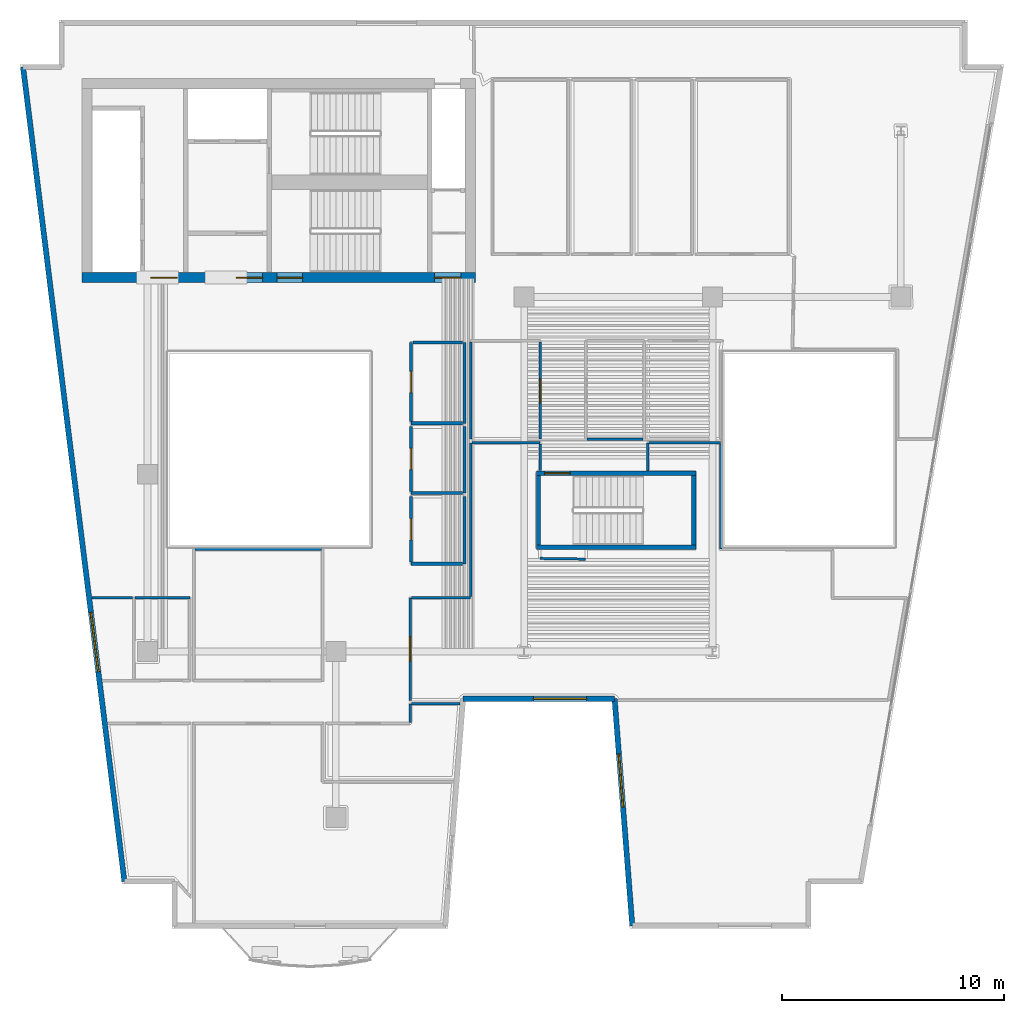
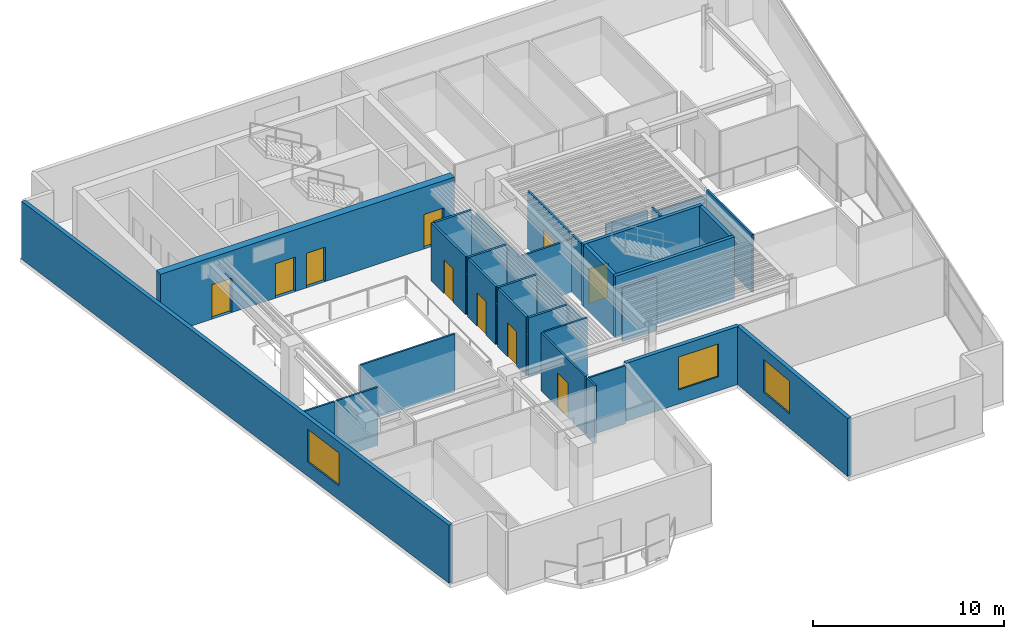
# One storey, part 4 of 10: 35 walls, 10 doors, 3 windows, 13 openings.
"""IFC4 building model written with IfcOpenShell, lengths in metres."""

from ifc_helpers import new_model, si_unit, direction, frame, frame_2d, origin, place, context, subcontext, project, spatial, rectangle, extrude, material, layer, layer_set, type_object, element, fill, save


model = new_model("IFC4")

# Units and contexts
model_context = context("Model", 3, precision=1e-05, world=origin(), true_north=direction((0.0, 1.0)))
body_context = subcontext(model_context, "Body", "Model", "MODEL_VIEW")
ifc_project = project(units=[si_unit("LENGTHUNIT", "METRE"), si_unit("AREAUNIT", "SQUARE_METRE"), si_unit("VOLUMEUNIT", "CUBIC_METRE"), si_unit("PLANEANGLEUNIT", "RADIAN"), si_unit("MASSUNIT", "GRAM", prefix="KILO")], contexts=[model_context])

# Site, building, storey
site_placement = place(None, origin())
site = spatial("IfcSite", under=ifc_project, at=site_placement, CompositionType="ELEMENT")
building_placement = place(site_placement, origin())
building = spatial("IfcBuilding", under=site, at=building_placement, Name="Caeloran Harvest Quay", CompositionType="ELEMENT")
storey_placement = place(building_placement, frame((0.0, 0.0, 223.25)))
storey = spatial("IfcBuildingStorey", under=building, at=storey_placement, Name="L53", CompositionType="ELEMENT", Elevation=223.25)

# Wall, opening, window
ifc_material_1 = material(Name="Precast concrete C50/60", Category="concrete")
ifc_layer_1 = layer(ifc_material_1, 0.239990234375, Name="Precast concrete C50/60")
ifc_layer_set_1 = layer_set([ifc_layer_1], Name="Precast concrete C50/60")
wall_type_1 = type_object("IfcWallType", Name="ENV-WALL-EW-240", PredefinedType="STANDARD", material=ifc_layer_set_1)
wall_1_placement = place(storey_placement, frame((7.460205078125, 4.6201171875, 0.0), z_axis=(0.0, 0.0, 1.0), x_axis=(-0.123515576323, 0.992342633573, 0.0)))
wall_1 = element("IfcWall", 1, at=wall_1_placement, inside=storey, type_object=wall_type_1, Name="L53 Exterior Precast Concrete Facade Wall 3", PredefinedType="STANDARD", context=body_context, shape_type="SweptSolid", body=[
    extrude(rectangle(XDim=37.04345703125, YDim=0.239990234375, at=frame_2d((18.521728515625, 0.0))), origin(), (0.0, 0.0, 1.0), 3.699951171875),
])
opening_1_placement = place(wall_1_placement, frame((9.535888671875, 0.0, 0.89990234375)))
opening_1 = element("IfcOpeningElement", 2, at=opening_1_placement, cuts=wall_1, Name="Opening W-07", PredefinedType="OPENING", context=body_context, shape_type="SweptSolid", body=[
    extrude(rectangle(XDim=2.699951171875, YDim=2.10009765625, at=frame_2d((1.35009765625, 1.050048828125))), frame((0.0, 0.1298828125, 0.0), z_axis=(0.0, -1.0, 0.0), x_axis=(1.0, 0.0, 0.0)), (0.0, 0.0, 1.0), 0.260009765625),
])
ifc_material_2 = material(Name="Aluminium-Framed Low-E Laminated Glass", Category="aluminium")
window_type_1 = type_object("IfcWindowType", Name="WIN-W-07", PartitioningType="DOUBLE_PANEL_VERTICAL", PredefinedType="WINDOW", material=ifc_material_2)
window_1_placement = place(opening_1_placement, origin())
window_1 = element("IfcWindow", 3, at=window_1_placement, inside=storey, type_object=window_type_1, Name="L53 Facade Punched Window W-07", OverallHeight=2.10009765625, OverallWidth=2.699951171875, PartitioningType="DOUBLE_PANEL_VERTICAL", PredefinedType="WINDOW", context=body_context, shape_type="SweptSolid", body=[
    extrude(rectangle(XDim=2.699951171875, YDim=2.10009765625, at=frame_2d((1.35009765625, 1.050048828125))), frame((0.0, 0.030029296875, 0.0), z_axis=(0.0, -1.0, 0.0), x_axis=(1.0, 0.0, 0.0)), (0.0, 0.0, 1.0), 0.06005859375),
])
fill(opening_1, window_1)

wall_2_placement = place(storey_placement, frame((30.380615234375, 2.6201171875, 0.0), z_axis=(0.0, 0.0, 1.0), x_axis=(-0.077816860153, 0.996967670627, 0.0)))
wall_2 = element("IfcWall", 4, at=wall_2_placement, inside=storey, type_object=wall_type_1, Name="L53 Exterior Precast Concrete Facade Wall 13", PredefinedType="STANDARD", context=body_context, shape_type="SweptSolid", body=[
    extrude(rectangle(XDim=10.28125, YDim=0.239990234375, at=frame_2d((5.140625, 0.0))), origin(), (0.0, 0.0, 1.0), 3.699951171875),
])
opening_2_placement = place(wall_2_placement, frame((5.3798828125, 0.0, 0.89990234375)))
opening_2 = element("IfcOpeningElement", 5, at=opening_2_placement, cuts=wall_2, Name="Opening W-02", PredefinedType="OPENING", context=body_context, shape_type="SweptSolid", body=[
    extrude(rectangle(XDim=2.39990234375, YDim=2.10009765625, at=frame_2d((1.199951171875, 1.050048828125))), frame((0.0, 0.1298828125, 0.0), z_axis=(0.0, -1.0, 0.0), x_axis=(1.0, 0.0, 0.0)), (0.0, 0.0, 1.0), 0.260009765625),
])
window_type_2 = type_object("IfcWindowType", Name="WIN-W-02", PartitioningType="DOUBLE_PANEL_VERTICAL", PredefinedType="WINDOW", material=ifc_material_2)
window_2_placement = place(opening_2_placement, origin())
window_2 = element("IfcWindow", 6, at=window_2_placement, inside=storey, type_object=window_type_2, Name="L53 Facade Punched Window W-02", OverallHeight=2.10009765625, OverallWidth=2.39990234375, PartitioningType="DOUBLE_PANEL_VERTICAL", PredefinedType="WINDOW", context=body_context, shape_type="SweptSolid", body=[
    extrude(rectangle(XDim=2.39990234375, YDim=2.10009765625, at=frame_2d((1.199951171875, 1.050048828125))), frame((0.0, 0.030029296875, 0.0), z_axis=(0.0, -1.0, 0.0), x_axis=(1.0, 0.0, 0.0)), (0.0, 0.0, 1.0), 0.06005859375),
])
fill(opening_2, window_2)

wall_3_placement = place(storey_placement, frame((29.58056640625, 12.8701171875, 0.0), z_axis=(0.0, 0.0, 1.0), x_axis=(-1.0, 0.0, 0.0)))
wall_3 = element("IfcWall", 7, at=wall_3_placement, inside=storey, type_object=wall_type_1, Name="L53 Exterior Precast Concrete Facade Wall 14", PredefinedType="STANDARD", context=body_context, shape_type="SweptSolid", body=[
    extrude(rectangle(XDim=6.83447265625, YDim=0.239990234375, at=frame_2d((3.417236328125, 0.0))), origin(), (0.0, 0.0, 1.0), 3.699951171875),
])
opening_3_placement = place(wall_3_placement, frame((1.260009765625, 0.0, 0.89990234375)))
opening_3 = element("IfcOpeningElement", 8, at=opening_3_placement, cuts=wall_3, Name="Opening W-02", PredefinedType="OPENING", context=body_context, shape_type="SweptSolid", body=[
    extrude(rectangle(XDim=2.39990234375, YDim=2.10009765625, at=frame_2d((1.199951171875, 1.050048828125))), frame((0.0, 0.1298828125, 0.0), z_axis=(0.0, -1.0, 0.0), x_axis=(1.0, 0.0, 0.0)), (0.0, 0.0, 1.0), 0.260009765625),
])
window_3_placement = place(opening_3_placement, origin())
window_3 = element("IfcWindow", 9, at=window_3_placement, inside=storey, type_object=window_type_2, Name="L53 Facade Punched Window W-02", OverallHeight=2.10009765625, OverallWidth=2.39990234375, PartitioningType="DOUBLE_PANEL_VERTICAL", PredefinedType="WINDOW", context=body_context, shape_type="SweptSolid", body=[
    extrude(rectangle(XDim=2.39990234375, YDim=2.10009765625, at=frame_2d((1.199951171875, 1.050048828125))), frame((0.0, 0.030029296875, 0.0), z_axis=(0.0, -1.0, 0.0), x_axis=(1.0, 0.0, 0.0)), (0.0, 0.0, 1.0), 0.06005859375),
])
fill(opening_3, window_3)

# Walls
ifc_material_3 = material(Name="Single-Stud Acoustic Gypsum Office Partition", Category="gypsum")
ifc_layer_2 = layer(ifc_material_3, 0.112060546875, Name="Single-Stud Acoustic Gypsum Office Partition")
ifc_layer_set_2 = layer_set([ifc_layer_2], Name="Single-Stud Acoustic Gypsum Office Partition")
wall_type_2 = type_object("IfcWallType", Name="INT-WALL-PW-112", PredefinedType="PARTITIONING", material=ifc_layer_set_2)
wall_4_placement = place(storey_placement, frame((20.35009765625, 11.800048828125, 0.0), z_axis=(0.0, 0.0, 1.0), x_axis=(0.0, 1.0, 0.0)))
element("IfcWall", 10, at=wall_4_placement, inside=storey, type_object=wall_type_2, Name="Due-Diligence Meeting Hall Partition Wall", PredefinedType="PARTITIONING", context=body_context, shape_type="SweptSolid", body=[
    extrude(rectangle(XDim=0.83984375, YDim=0.112060546875, at=frame_2d((0.419921875, 0.0))), origin(), (0.0, 0.0, 1.0), 3.699951171875),
])
wall_5_placement = place(storey_placement, frame((20.410888671875, 12.639892578125, 0.0), z_axis=(0.0, 0.0, 1.0), x_axis=(1.0, 0.0, 0.0)))
element("IfcWall", 11, at=wall_5_placement, inside=storey, type_object=wall_type_2, Name="Due-Diligence Meeting Hall Partition Wall", PredefinedType="PARTITIONING", context=body_context, shape_type="SweptSolid", body=[
    extrude(rectangle(XDim=2.19189453125, YDim=0.112060546875, at=frame_2d((1.095947265625, 0.0))), origin(), (0.0, 0.0, 1.0), 3.699951171875),
])
wall_6_placement = place(storey_placement, frame((5.992919921875, 17.419921875, 0.0), z_axis=(0.0, 0.0, 1.0), x_axis=(1.0, 0.0, 0.0)))
element("IfcWall", 12, at=wall_6_placement, inside=storey, type_object=wall_type_2, Name="General Partner Corner Office Partition Wall", PredefinedType="PARTITIONING", context=body_context, shape_type="SweptSolid", body=[
    extrude(rectangle(XDim=1.826171875, YDim=0.112060546875, at=frame_2d((0.9130859375, 0.0))), origin(), (0.0, 0.0, 1.0), 3.699951171875),
])
wall_7_placement = place(storey_placement, frame((7.94091796875, 17.419921875, 0.0), z_axis=(0.0, 0.0, 1.0), x_axis=(1.0, 0.0, 0.0)))
element("IfcWall", 13, at=wall_7_placement, inside=storey, type_object=wall_type_2, Name="General Partner Corner Office Partition Wall", PredefinedType="PARTITIONING", context=body_context, shape_type="SweptSolid", body=[
    extrude(rectangle(XDim=2.47900390625, YDim=0.112060546875, at=frame_2d((1.239501953125, 0.0))), origin(), (0.0, 0.0, 1.0), 3.699951171875),
])
wall_8_placement = place(storey_placement, frame((10.64111328125, 19.6201171875, 0.0), z_axis=(0.0, 0.0, 1.0), x_axis=(1.0, 0.0, 0.0)))
element("IfcWall", 14, at=wall_8_placement, inside=storey, type_object=wall_type_2, Name="Board Conference Room Partition Wall", PredefinedType="PARTITIONING", context=body_context, shape_type="SweptSolid", body=[
    extrude(rectangle(XDim=5.7177734375, YDim=0.112060546875, at=frame_2d((2.85888671875, 0.0))), origin(), (0.0, 0.0, 1.0), 3.699951171875),
])
wall_9_placement = place(storey_placement, frame((31.080078125, 23.155029296875, 0.0), z_axis=(0.0, 0.0, 1.0), x_axis=(0.0, 1.0, 0.0)))
element("IfcWall", 15, at=wall_9_placement, inside=storey, type_object=wall_type_2, Name="Founder Fireside Salon Lounge Partition Wall", PredefinedType="PARTITIONING", context=body_context, shape_type="SweptSolid", body=[
    extrude(rectangle(XDim=1.264892578125, YDim=0.112060546875, at=frame_2d((0.63232421875, 0.0))), origin(), (0.0, 0.0, 1.0), 3.699951171875),
])
wall_10_placement = place(storey_placement, frame((31.14111328125, 24.419921875, 0.0), z_axis=(0.0, 0.0, 1.0), x_axis=(1.0, 0.0, 0.0)))
element("IfcWall", 16, at=wall_10_placement, inside=storey, type_object=wall_type_2, Name="Founder Fireside Salon Lounge Partition Wall", PredefinedType="PARTITIONING", context=body_context, shape_type="SweptSolid", body=[
    extrude(rectangle(XDim=3.22900390625, YDim=0.112060546875, at=frame_2d((1.614501953125, 0.0))), origin(), (0.0, 0.0, 1.0), 3.385009765625),
])
wall_11_placement = place(storey_placement, frame((34.3701171875, 24.35888671875, 0.0), z_axis=(0.0, 0.0, 1.0), x_axis=(0.0, -1.0, 0.0)))
element("IfcWall", 17, at=wall_11_placement, inside=storey, type_object=wall_type_2, Name="Founder Fireside Salon Lounge Partition Wall", PredefinedType="PARTITIONING", context=body_context, shape_type="SweptSolid", body=[
    extrude(rectangle(XDim=4.73876953125, YDim=0.112060546875, at=frame_2d((2.369384765625, 0.0))), origin(), (0.0, 0.0, 1.0), 3.699951171875),
])

# Wall, opening, door
wall_12_placement = place(storey_placement, frame((20.35009765625, 12.800048828125, 0.0), z_axis=(0.0, 0.0, 1.0), x_axis=(0.0, 1.0, 0.0)))
wall_12 = element("IfcWall", 18, at=wall_12_placement, inside=storey, type_object=wall_type_2, Name="Founder Fireside Salon Lounge Partition Wall", PredefinedType="PARTITIONING", context=body_context, shape_type="SweptSolid", body=[
    extrude(rectangle(XDim=4.619873046875, YDim=0.112060546875, at=frame_2d((2.31005859375, 0.0))), origin(), (0.0, 0.0, 1.0), 3.699951171875),
])
opening_4_placement = place(wall_12_placement, frame((1.760009765625, 0.0, 0.0)))
opening_4 = element("IfcOpeningElement", 19, at=opening_4_placement, cuts=wall_12, Name="Opening ID-04", PredefinedType="OPENING", context=body_context, shape_type="SweptSolid", body=[
    extrude(rectangle(XDim=1.10009765625, YDim=2.199951171875, at=frame_2d((0.550048828125, 1.10009765625))), frame((0.0, 0.06591796875, 0.0), z_axis=(0.0, -1.0, 0.0), x_axis=(1.0, 0.0, 0.0)), (0.0, 0.0, 1.0), 0.132080078125),
])
ifc_material_4 = material(Name="Acoustic Walnut Veneer Executive Door", Category="wood")
door_type_1 = type_object("IfcDoorType", Name="INTDOOR-ID-04", OperationType="NOTDEFINED", PredefinedType="DOOR", material=ifc_material_4)
door_1_placement = place(opening_4_placement, origin())
door_1 = element("IfcDoor", 20, at=door_1_placement, inside=storey, type_object=door_type_1, Name="Founder Fireside Salon Lounge Access Door", OperationType="SINGLE_SWING_RIGHT", OverallHeight=2.199951171875, OverallWidth=1.10009765625, PredefinedType="DOOR", context=body_context, shape_type="SweptSolid", body=[
    extrude(rectangle(XDim=1.10009765625, YDim=2.199951171875, at=frame_2d((0.550048828125, 1.10009765625))), frame((0.0, 0.02490234375, 0.0), z_axis=(0.0, -1.0, 0.0), x_axis=(1.0, 0.0, 0.0)), (0.0, 0.0, 1.0), 0.050048828125),
])
fill(opening_4, door_1)

# Walls
wall_13_placement = place(storey_placement, frame((20.410888671875, 17.419921875, 0.0), z_axis=(0.0, 0.0, 1.0), x_axis=(1.0, 0.0, 0.0)))
element("IfcWall", 21, at=wall_13_placement, inside=storey, type_object=wall_type_2, Name="Founder Fireside Salon Lounge Partition Wall", PredefinedType="PARTITIONING", context=body_context, shape_type="SweptSolid", body=[
    extrude(rectangle(XDim=2.669189453125, YDim=0.112060546875, at=frame_2d((1.33447265625, 0.0))), origin(), (0.0, 0.0, 1.0), 3.699951171875),
])
wall_14_placement = place(storey_placement, frame((23.080078125, 17.48095703125, 0.0), z_axis=(0.0, 0.0, 1.0), x_axis=(0.0, 1.0, 0.0)))
element("IfcWall", 22, at=wall_14_placement, inside=storey, type_object=wall_type_2, Name="Founder Fireside Salon Lounge Partition Wall", PredefinedType="PARTITIONING", context=body_context, shape_type="SweptSolid", body=[
    extrude(rectangle(XDim=6.93896484375, YDim=0.112060546875, at=frame_2d((3.469482421875, 0.0))), origin(), (0.0, 0.0, 1.0), 3.385009765625),
])
wall_15_placement = place(storey_placement, frame((23.14111328125, 24.419921875, 0.0), z_axis=(0.0, 0.0, 1.0), x_axis=(1.0, 0.0, 0.0)))
element("IfcWall", 23, at=wall_15_placement, inside=storey, type_object=wall_type_2, Name="Founder Fireside Salon Lounge Partition Wall", PredefinedType="PARTITIONING", context=body_context, shape_type="SweptSolid", body=[
    extrude(rectangle(XDim=3.078857421875, YDim=0.112060546875, at=frame_2d((1.53955078125, 0.0))), origin(), (0.0, 0.0, 1.0), 3.385009765625),
])
wall_16_placement = place(storey_placement, frame((26.219970703125, 24.35888671875, 0.0), z_axis=(0.0, 0.0, 1.0), x_axis=(0.0, -1.0, 0.0)))
element("IfcWall", 24, at=wall_16_placement, inside=storey, type_object=wall_type_2, Name="Founder Fireside Salon Lounge Partition Wall", PredefinedType="PARTITIONING", context=body_context, shape_type="SweptSolid", body=[
    extrude(rectangle(XDim=1.19384765625, YDim=0.112060546875, at=frame_2d((0.596923828125, 0.0))), origin(), (0.0, 0.0, 1.0), 3.699951171875),
])
wall_17_placement = place(storey_placement, frame((26.219970703125, 19.199951171875, 0.0), z_axis=(0.0, 0.0, 1.0), x_axis=(0.999893773718, -0.014575365509, 0.0)))
element("IfcWall", 25, at=wall_17_placement, inside=storey, type_object=wall_type_2, Name="Founder Fireside Salon Lounge Partition Wall", PredefinedType="PARTITIONING", context=body_context, shape_type="SweptSolid", body=[
    extrude(rectangle(XDim=2.060302734375, YDim=0.112060546875, at=frame_2d((1.0302734375, 0.0))), origin(), (0.0, 0.0, 1.0), 3.385009765625),
])

# Wall, opening, door
wall_18_placement = place(storey_placement, frame((26.219970703125, 28.958984375, 0.0), z_axis=(0.0, 0.0, 1.0), x_axis=(0.0, -1.0, 0.0)))
wall_18 = element("IfcWall", 26, at=wall_18_placement, inside=storey, type_object=wall_type_2, Name="Refreshment Dining Kitchen Partition Wall", PredefinedType="PARTITIONING", context=body_context, shape_type="SweptSolid", body=[
    extrude(rectangle(XDim=4.37890625, YDim=0.112060546875, at=frame_2d((2.189453125, 0.0))), origin(), (0.0, 0.0, 1.0), 3.699951171875),
])
opening_5_placement = place(wall_18_placement, frame((1.639404296875, 0.0, 0.0)))
opening_5 = element("IfcOpeningElement", 27, at=opening_5_placement, cuts=wall_18, Name="Opening ID-04", PredefinedType="OPENING", context=body_context, shape_type="SweptSolid", body=[
    extrude(rectangle(XDim=1.10009765625, YDim=2.199951171875, at=frame_2d((0.550048828125, 1.10009765625))), frame((0.0, 0.06591796875, 0.0), z_axis=(0.0, -1.0, 0.0), x_axis=(1.0, 0.0, 0.0)), (0.0, 0.0, 1.0), 0.132080078125),
])
door_2_placement = place(opening_5_placement, origin())
door_2 = element("IfcDoor", 28, at=door_2_placement, inside=storey, type_object=door_type_1, Name="Refreshment Dining Kitchen Access Door", OperationType="SINGLE_SWING_LEFT", OverallHeight=2.199951171875, OverallWidth=1.10009765625, PredefinedType="DOOR", context=body_context, shape_type="SweptSolid", body=[
    extrude(rectangle(XDim=1.10009765625, YDim=2.199951171875, at=frame_2d((0.550048828125, 1.10009765625))), frame((0.0, 0.02490234375, 0.0), z_axis=(0.0, -1.0, 0.0), x_axis=(1.0, 0.0, 0.0)), (0.0, 0.0, 1.0), 0.050048828125),
])
fill(opening_5, door_2)

# Walls
wall_19_placement = place(storey_placement, frame((23.080078125, 24.580078125, 0.0), z_axis=(0.0, 0.0, 1.0), x_axis=(0.0, 1.0, 0.0)))
element("IfcWall", 29, at=wall_19_placement, inside=storey, type_object=wall_type_2, Name="Refreshment Dining Kitchen Partition Wall", PredefinedType="PARTITIONING", context=body_context, shape_type="SweptSolid", body=[
    extrude(rectangle(XDim=4.37890625, YDim=0.112060546875, at=frame_2d((2.189453125, 0.0))), origin(), (0.0, 0.0, 1.0), 3.385009765625),
])
wall_20_placement = place(storey_placement, frame((30.85888671875, 24.580078125, 0.0), z_axis=(0.0, 0.0, 1.0), x_axis=(-1.0, 0.0, 0.0)))
element("IfcWall", 30, at=wall_20_placement, inside=storey, type_object=wall_type_2, Name="Secure Vault Laboratory Partition Wall", PredefinedType="PARTITIONING", context=body_context, shape_type="SweptSolid", body=[
    extrude(rectangle(XDim=2.517822265625, YDim=0.112060546875, at=frame_2d((1.2587890625, 0.0))), origin(), (0.0, 0.0, 1.0), 3.485107421875),
])
ifc_material_5 = material(Name="Moisture-Resistant Cement-Board Sanitary Partition", Category="gypsum")
ifc_layer_3 = layer(ifc_material_5, 0.139892578125, Name="Moisture-Resistant Cement-Board Sanitary Partition")
ifc_layer_set_3 = layer_set([ifc_layer_3], Name="Moisture-Resistant Cement-Board Sanitary Partition")
wall_type_3 = type_object("IfcWallType", Name="INT-WALL-PW-140", PredefinedType="PARTITIONING", material=ifc_layer_set_3)
wall_21_placement = place(storey_placement, frame((22.800048828125, 28.949951171875, 0.0), z_axis=(0.0, 0.0, 1.0), x_axis=(0.0, -1.0, 0.0)))
element("IfcWall", 31, at=wall_21_placement, inside=storey, type_object=wall_type_3, Name="L53 Male Washroom WC Partition Wall", PredefinedType="PARTITIONING", context=body_context, shape_type="SweptSolid", body=[
    extrude(rectangle(XDim=3.64990234375, YDim=0.139892578125, at=frame_2d((1.824951171875, 0.0))), origin(), (0.0, 0.0, 1.0), 3.385009765625),
])
wall_22_placement = place(storey_placement, frame((22.72509765625, 25.300048828125, 0.0), z_axis=(0.0, 0.0, 1.0), x_axis=(-1.0, 0.0, 0.0)))
element("IfcWall", 32, at=wall_22_placement, inside=storey, type_object=wall_type_3, Name="L53 Male Washroom WC Partition Wall", PredefinedType="PARTITIONING", context=body_context, shape_type="SweptSolid", body=[
    extrude(rectangle(XDim=2.3251953125, YDim=0.139892578125, at=frame_2d((1.16259765625, 0.0))), origin(), (0.0, 0.0, 1.0), 3.699951171875),
])

# Wall, opening, door
wall_23_placement = place(storey_placement, frame((20.39990234375, 25.375, 0.0), z_axis=(0.0, 0.0, 1.0), x_axis=(0.0, 1.0, 0.0)))
wall_23 = element("IfcWall", 33, at=wall_23_placement, inside=storey, type_object=wall_type_3, Name="L53 Male Washroom WC Partition Wall", PredefinedType="PARTITIONING", context=body_context, shape_type="SweptSolid", body=[
    extrude(rectangle(XDim=3.574951171875, YDim=0.139892578125, at=frame_2d((1.78759765625, 0.0))), origin(), (0.0, 0.0, 1.0), 3.699951171875),
])
opening_6_placement = place(wall_23_placement, frame((1.3125, 0.0, 0.0)))
opening_6 = element("IfcOpeningElement", 34, at=opening_6_placement, cuts=wall_23, Name="Opening WC-01", PredefinedType="OPENING", context=body_context, shape_type="SweptSolid", body=[
    extrude(rectangle(XDim=0.949951171875, YDim=2.14990234375, at=frame_2d((0.47509765625, 1.074951171875))), frame((0.0, 0.080078125, 0.0), z_axis=(0.0, -1.0, 0.0), x_axis=(1.0, 0.0, 0.0)), (0.0, 0.0, 1.0), 0.159912109375),
])
ifc_material_6 = material(Name="High-Pressure Laminate Moisture-Resistant Timber", Category="wood")
door_type_2 = type_object("IfcDoorType", Name="INTDOOR-WC-01", OperationType="NOTDEFINED", PredefinedType="DOOR", material=ifc_material_6)
door_3_placement = place(opening_6_placement, origin())
door_3 = element("IfcDoor", 35, at=door_3_placement, inside=storey, type_object=door_type_2, Name="L53 Male Washroom WC Access Door", OperationType="SINGLE_SWING_LEFT", OverallHeight=2.14990234375, OverallWidth=0.949951171875, PredefinedType="DOOR", context=body_context, shape_type="SweptSolid", body=[
    extrude(rectangle(XDim=0.949951171875, YDim=2.14990234375, at=frame_2d((0.47509765625, 1.074951171875))), frame((0.0, 0.02490234375, 0.0), z_axis=(0.0, -1.0, 0.0), x_axis=(1.0, 0.0, 0.0)), (0.0, 0.0, 1.0), 0.050048828125),
])
fill(opening_6, door_3)

# Walls
wall_24_placement = place(storey_placement, frame((20.47509765625, 28.949951171875, 0.0), z_axis=(0.0, 0.0, 1.0), x_axis=(1.0, 0.0, 0.0)))
element("IfcWall", 36, at=wall_24_placement, inside=storey, type_object=wall_type_3, Name="L53 Male Washroom WC Partition Wall", PredefinedType="PARTITIONING", context=body_context, shape_type="SweptSolid", body=[
    extrude(rectangle(XDim=2.25, YDim=0.139892578125, at=frame_2d((1.125, 0.0))), origin(), (0.0, 0.0, 1.0), 3.699951171875),
])
wall_25_placement = place(storey_placement, frame((22.800048828125, 25.14990234375, 0.0), z_axis=(0.0, 0.0, 1.0), x_axis=(0.0, -1.0, 0.0)))
element("IfcWall", 37, at=wall_25_placement, inside=storey, type_object=wall_type_3, Name="L53 Female Washroom WC Partition Wall", PredefinedType="PARTITIONING", context=body_context, shape_type="SweptSolid", body=[
    extrude(rectangle(XDim=3.0, YDim=0.139892578125, at=frame_2d((1.5, 0.0))), origin(), (0.0, 0.0, 1.0), 3.385009765625),
])
wall_26_placement = place(storey_placement, frame((22.72509765625, 22.14990234375, 0.0), z_axis=(0.0, 0.0, 1.0), x_axis=(-1.0, 0.0, 0.0)))
element("IfcWall", 38, at=wall_26_placement, inside=storey, type_object=wall_type_3, Name="L53 Female Washroom WC Partition Wall", PredefinedType="PARTITIONING", context=body_context, shape_type="SweptSolid", body=[
    extrude(rectangle(XDim=2.3251953125, YDim=0.139892578125, at=frame_2d((1.16259765625, 0.0))), origin(), (0.0, 0.0, 1.0), 3.699951171875),
])

# Wall, opening, door
wall_27_placement = place(storey_placement, frame((20.39990234375, 22.22509765625, 0.0), z_axis=(0.0, 0.0, 1.0), x_axis=(0.0, 1.0, 0.0)))
wall_27 = element("IfcWall", 39, at=wall_27_placement, inside=storey, type_object=wall_type_3, Name="L53 Female Washroom WC Partition Wall", PredefinedType="PARTITIONING", context=body_context, shape_type="SweptSolid", body=[
    extrude(rectangle(XDim=2.9248046875, YDim=0.139892578125, at=frame_2d((1.46240234375, 0.0))), origin(), (0.0, 0.0, 1.0), 3.699951171875),
])
opening_7_placement = place(wall_27_placement, frame((0.987548828125, 0.0, 0.0)))
opening_7 = element("IfcOpeningElement", 40, at=opening_7_placement, cuts=wall_27, Name="Opening WC-01", PredefinedType="OPENING", context=body_context, shape_type="SweptSolid", body=[
    extrude(rectangle(XDim=0.949951171875, YDim=2.14990234375, at=frame_2d((0.47509765625, 1.074951171875))), frame((0.0, 0.080078125, 0.0), z_axis=(0.0, -1.0, 0.0), x_axis=(1.0, 0.0, 0.0)), (0.0, 0.0, 1.0), 0.159912109375),
])
door_4_placement = place(opening_7_placement, origin())
door_4 = element("IfcDoor", 41, at=door_4_placement, inside=storey, type_object=door_type_2, Name="L53 Female Washroom WC Access Door", OperationType="SINGLE_SWING_RIGHT", OverallHeight=2.14990234375, OverallWidth=0.949951171875, PredefinedType="DOOR", context=body_context, shape_type="SweptSolid", body=[
    extrude(rectangle(XDim=0.949951171875, YDim=2.14990234375, at=frame_2d((0.47509765625, 1.074951171875))), frame((0.0, 0.02490234375, 0.0), z_axis=(0.0, -1.0, 0.0), x_axis=(1.0, 0.0, 0.0)), (0.0, 0.0, 1.0), 0.050048828125),
])
fill(opening_7, door_4)

# Walls
wall_28_placement = place(storey_placement, frame((22.800048828125, 22.0, 0.0), z_axis=(0.0, 0.0, 1.0), x_axis=(0.0, -1.0, 0.0)))
element("IfcWall", 42, at=wall_28_placement, inside=storey, type_object=wall_type_3, Name="L53 Accessible Unisex Washroom WC Partition Wall", PredefinedType="PARTITIONING", context=body_context, shape_type="SweptSolid", body=[
    extrude(rectangle(XDim=3.0400390625, YDim=0.139892578125, at=frame_2d((1.52001953125, 0.0))), origin(), (0.0, 0.0, 1.0), 3.385009765625),
])
wall_29_placement = place(storey_placement, frame((22.72509765625, 18.9599609375, 0.0), z_axis=(0.0, 0.0, 1.0), x_axis=(-1.0, 0.0, 0.0)))
element("IfcWall", 43, at=wall_29_placement, inside=storey, type_object=wall_type_3, Name="L53 Accessible Unisex Washroom WC Partition Wall", PredefinedType="PARTITIONING", context=body_context, shape_type="SweptSolid", body=[
    extrude(rectangle(XDim=2.3251953125, YDim=0.139892578125, at=frame_2d((1.16259765625, 0.0))), origin(), (0.0, 0.0, 1.0), 3.699951171875),
])

# Wall, opening, door
wall_30_placement = place(storey_placement, frame((20.39990234375, 19.034912109375, 0.0), z_axis=(0.0, 0.0, 1.0), x_axis=(0.0, 1.0, 0.0)))
wall_30 = element("IfcWall", 44, at=wall_30_placement, inside=storey, type_object=wall_type_3, Name="L53 Accessible Unisex Washroom WC Partition Wall", PredefinedType="PARTITIONING", context=body_context, shape_type="SweptSolid", body=[
    extrude(rectangle(XDim=2.965087890625, YDim=0.139892578125, at=frame_2d((1.482421875, 0.0))), origin(), (0.0, 0.0, 1.0), 3.699951171875),
])
opening_8_placement = place(wall_30_placement, frame((1.007568359375, 0.0, 0.0)))
opening_8 = element("IfcOpeningElement", 45, at=opening_8_placement, cuts=wall_30, Name="Opening WC-01", PredefinedType="OPENING", context=body_context, shape_type="SweptSolid", body=[
    extrude(rectangle(XDim=0.949951171875, YDim=2.14990234375, at=frame_2d((0.47509765625, 1.074951171875))), frame((0.0, 0.080078125, 0.0), z_axis=(0.0, -1.0, 0.0), x_axis=(1.0, 0.0, 0.0)), (0.0, 0.0, 1.0), 0.159912109375),
])
door_5_placement = place(opening_8_placement, origin())
door_5 = element("IfcDoor", 46, at=door_5_placement, inside=storey, type_object=door_type_2, Name="L53 Accessible Unisex Washroom WC Access Door", OperationType="SINGLE_SWING_LEFT", OverallHeight=2.14990234375, OverallWidth=0.949951171875, PredefinedType="DOOR", context=body_context, shape_type="SweptSolid", body=[
    extrude(rectangle(XDim=0.949951171875, YDim=2.14990234375, at=frame_2d((0.47509765625, 1.074951171875))), frame((0.0, 0.02490234375, 0.0), z_axis=(0.0, -1.0, 0.0), x_axis=(1.0, 0.0, 0.0)), (0.0, 0.0, 1.0), 0.050048828125),
])
fill(opening_8, door_5)

# Wall, openings, doors
ifc_material_7 = material(Name="Concrete C60/75", Category="concrete")
ifc_layer_4 = layer(ifc_material_7, 0.449951171875, Name="Concrete C60/75")
ifc_layer_set_4 = layer_set([ifc_layer_4], Name="Concrete C60/75")
wall_type_4 = type_object("IfcWallType", Name="STR-WALL-CW-450", PredefinedType="SHEAR", material=ifc_layer_set_4)
wall_31_placement = place(storey_placement, frame((5.550048828125, 31.875, 0.0), z_axis=(0.0, 0.0, 1.0), x_axis=(1.0, 0.0, 0.0)))
wall_31 = element("IfcWall", 47, at=wall_31_placement, inside=storey, type_object=wall_type_4, Name="L53 Rear Core Shear Wall S", PredefinedType="SHEAR", context=body_context, shape_type="SweptSolid", body=[
    extrude(rectangle(XDim=17.75, YDim=0.449951171875, at=frame_2d((8.875, 0.0))), origin(), (0.0, 0.0, 1.0), 3.949951171875),
])
opening_9_placement = place(wall_31_placement, frame((3.10009765625, 0.0, 0.0)))
opening_9 = element("IfcOpeningElement", 48, at=opening_9_placement, cuts=wall_31, Name="Opening FD-01", PredefinedType="OPENING", context=body_context, shape_type="SweptSolid", body=[
    extrude(rectangle(XDim=1.199951171875, YDim=2.199951171875, at=frame_2d((0.60009765625, 1.10009765625))), frame((0.0, 0.23486328125, 0.0), z_axis=(0.0, -1.0, 0.0), x_axis=(1.0, 0.0, 0.0)), (0.0, 0.0, 1.0), 0.469970703125),
])
opening_10_placement = place(wall_31_placement, frame((6.949951171875, 0.0, 0.0)))
opening_10 = element("IfcOpeningElement", 49, at=opening_10_placement, cuts=wall_31, Name="Opening FD-01", PredefinedType="OPENING", context=body_context, shape_type="SweptSolid", body=[
    extrude(rectangle(XDim=1.199951171875, YDim=2.199951171875, at=frame_2d((0.60009765625, 1.10009765625))), frame((0.0, 0.23486328125, 0.0), z_axis=(0.0, -1.0, 0.0), x_axis=(1.0, 0.0, 0.0)), (0.0, 0.0, 1.0), 0.469970703125),
])
opening_11_placement = place(wall_31_placement, frame((8.800048828125, 0.0, 0.0)))
opening_11 = element("IfcOpeningElement", 50, at=opening_11_placement, cuts=wall_31, Name="Opening SD-01", PredefinedType="OPENING", context=body_context, shape_type="SweptSolid", body=[
    extrude(rectangle(XDim=1.14990234375, YDim=2.199951171875, at=frame_2d((0.574951171875, 1.10009765625))), frame((0.0, 0.23486328125, 0.0), z_axis=(0.0, -1.0, 0.0), x_axis=(1.0, 0.0, 0.0)), (0.0, 0.0, 1.0), 0.469970703125),
])
opening_12_placement = place(wall_31_placement, frame((15.89990234375, 0.0, 0.0)))
opening_12 = element("IfcOpeningElement", 51, at=opening_12_placement, cuts=wall_31, Name="Opening FD-01", PredefinedType="OPENING", context=body_context, shape_type="SweptSolid", body=[
    extrude(rectangle(XDim=1.199951171875, YDim=2.199951171875, at=frame_2d((0.60009765625, 1.10009765625))), frame((0.0, 0.23486328125, 0.0), z_axis=(0.0, -1.0, 0.0), x_axis=(1.0, 0.0, 0.0)), (0.0, 0.0, 1.0), 0.469970703125),
])
ifc_material_8 = material(Name="Steel", Category="steel")
door_type_3 = type_object("IfcDoorType", Name="INTDOOR-FD-01", OperationType="NOTDEFINED", PredefinedType="DOOR", material=ifc_material_8)
door_6_placement = place(opening_9_placement, origin())
door_6 = element("IfcDoor", 52, at=door_6_placement, inside=storey, type_object=door_type_3, Name="L53 High-Rise Lift Lobby Fire Door", OperationType="SINGLE_SWING_LEFT", OverallHeight=2.199951171875, OverallWidth=1.199951171875, PredefinedType="DOOR", context=body_context, shape_type="SweptSolid", body=[
    extrude(rectangle(XDim=1.199951171875, YDim=2.199951171875, at=frame_2d((0.60009765625, 1.10009765625))), frame((0.0, 0.02490234375, 0.0), z_axis=(0.0, -1.0, 0.0), x_axis=(1.0, 0.0, 0.0)), (0.0, 0.0, 1.0), 0.050048828125),
])
fill(opening_9, door_6)
door_7_placement = place(opening_10_placement, origin())
door_7 = element("IfcDoor", 53, at=door_7_placement, inside=storey, type_object=door_type_3, Name="L53 Firefighting Lobby Vestibule Fire Door", OperationType="SINGLE_SWING_RIGHT", OverallHeight=2.199951171875, OverallWidth=1.199951171875, PredefinedType="DOOR", context=body_context, shape_type="SweptSolid", body=[
    extrude(rectangle(XDim=1.199951171875, YDim=2.199951171875, at=frame_2d((0.60009765625, 1.10009765625))), frame((0.0, 0.02490234375, 0.0), z_axis=(0.0, -1.0, 0.0), x_axis=(1.0, 0.0, 0.0)), (0.0, 0.0, 1.0), 0.050048828125),
])
fill(opening_10, door_7)
door_8_placement = place(opening_12_placement, origin())
door_8 = element("IfcDoor", 54, at=door_8_placement, inside=storey, type_object=door_type_3, Name="L53 Service Lift Lobby Fire Door", OperationType="SINGLE_SWING_RIGHT", OverallHeight=2.199951171875, OverallWidth=1.199951171875, PredefinedType="DOOR", context=body_context, shape_type="SweptSolid", body=[
    extrude(rectangle(XDim=1.199951171875, YDim=2.199951171875, at=frame_2d((0.60009765625, 1.10009765625))), frame((0.0, 0.02490234375, 0.0), z_axis=(0.0, -1.0, 0.0), x_axis=(1.0, 0.0, 0.0)), (0.0, 0.0, 1.0), 0.050048828125),
])
fill(opening_12, door_8)
door_type_4 = type_object("IfcDoorType", Name="INTDOOR-SD-01", OperationType="NOTDEFINED", PredefinedType="DOOR", material=ifc_material_8)
door_9_placement = place(opening_11_placement, origin())
door_9 = element("IfcDoor", 55, at=door_9_placement, inside=storey, type_object=door_type_4, Name="L53 Protected Stair ST-C2 Exit Door", OperationType="SINGLE_SWING_LEFT", OverallHeight=2.199951171875, OverallWidth=1.14990234375, PredefinedType="DOOR", context=body_context, shape_type="SweptSolid", body=[
    extrude(rectangle(XDim=1.14990234375, YDim=2.199951171875, at=frame_2d((0.574951171875, 1.10009765625))), frame((0.0, 0.02490234375, 0.0), z_axis=(0.0, -1.0, 0.0), x_axis=(1.0, 0.0, 0.0)), (0.0, 0.0, 1.0), 0.050048828125),
])
fill(opening_11, door_9)

# Wall
ifc_layer_5 = layer(ifc_material_7, 0.199951171875, Name="Concrete C60/75")
ifc_layer_set_5 = layer_set([ifc_layer_5], Name="Concrete C60/75")
wall_type_5 = type_object("IfcWallType", Name="STR-WALL-SW-200", PredefinedType="SHEAR", material=ifc_layer_set_5)
wall_32_placement = place(storey_placement, frame((26.050048828125, 19.699951171875, 0.0), z_axis=(0.0, 0.0, 1.0), x_axis=(1.0, 0.0, 0.0)))
element("IfcWall", 56, at=wall_32_placement, inside=storey, type_object=wall_type_5, Name="L53 Stair ST-W1 S RC Shaft Shear Wall", PredefinedType="SHEAR", context=body_context, shape_type="SweptSolid", body=[
    extrude(rectangle(XDim=7.199951171875, YDim=0.199951171875, at=frame_2d((3.60009765625, 0.0))), origin(), (0.0, 0.0, 1.0), 3.949951171875),
])

# Wall, opening, door
wall_33_placement = place(storey_placement, frame((26.050048828125, 23.050048828125, 0.0), z_axis=(0.0, 0.0, 1.0), x_axis=(1.0, 0.0, 0.0)))
wall_33 = element("IfcWall", 57, at=wall_33_placement, inside=storey, type_object=wall_type_5, Name="L53 Stair ST-W1 N RC Shaft Shear Wall", PredefinedType="SHEAR", context=body_context, shape_type="SweptSolid", body=[
    extrude(rectangle(XDim=7.199951171875, YDim=0.199951171875, at=frame_2d((3.60009765625, 0.0))), origin(), (0.0, 0.0, 1.0), 3.949951171875),
])
opening_13_placement = place(wall_33_placement, frame((0.3798828125, 0.0, 0.0)))
opening_13 = element("IfcOpeningElement", 58, at=opening_13_placement, cuts=wall_33, Name="Opening SD-01", PredefinedType="OPENING", context=body_context, shape_type="SweptSolid", body=[
    extrude(rectangle(XDim=1.14990234375, YDim=2.199951171875, at=frame_2d((0.574951171875, 1.10009765625))), frame((0.0, 0.10986328125, 0.0), z_axis=(0.0, -1.0, 0.0), x_axis=(1.0, 0.0, 0.0)), (0.0, 0.0, 1.0), 0.219970703125),
])
door_10_placement = place(opening_13_placement, origin())
door_10 = element("IfcDoor", 59, at=door_10_placement, inside=storey, type_object=door_type_4, Name="L53 Protected Exit Stair ST-W1 Fire Door", OperationType="SINGLE_SWING_RIGHT", OverallHeight=2.199951171875, OverallWidth=1.14990234375, PredefinedType="DOOR", context=body_context, shape_type="SweptSolid", body=[
    extrude(rectangle(XDim=1.14990234375, YDim=2.199951171875, at=frame_2d((0.574951171875, 1.10009765625))), frame((0.0, 0.02490234375, 0.0), z_axis=(0.0, -1.0, 0.0), x_axis=(1.0, 0.0, 0.0)), (0.0, 0.0, 1.0), 0.050048828125),
])
fill(opening_13, door_10)

# Walls
for number, where, z_axis, x_axis, name in (
    (60, (26.14990234375, 19.81005859375, 0.0), (0.0, 0.0, 1.0), (0.0, 1.0, 0.0), "L53 Stair ST-W1 W RC Shaft Shear Wall"),
    (61, (33.14990234375, 19.81005859375, 0.0), (0.0, 0.0, 1.0), (0.0, 1.0, 0.0), "L53 Stair ST-W1 E RC Shaft Shear Wall"),
):
    element("IfcWall", number, at=place(storey_placement, frame(where, z_axis=z_axis, x_axis=x_axis)), inside=storey, type_object=wall_type_5, Name=name, PredefinedType="SHEAR", context=body_context, shape_type="SweptSolid", body=[
        extrude(rectangle(XDim=3.1298828125, YDim=0.199951171875, at=frame_2d((1.56494140625, 0.0))), origin(), (0.0, 0.0, 1.0), 3.949951171875),
    ])

save(model, "model.ifc")
